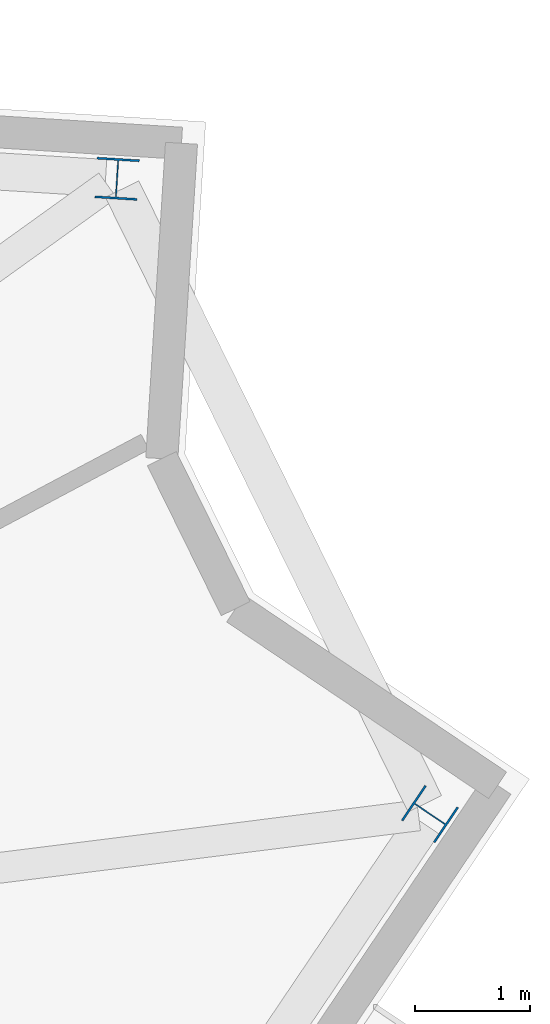
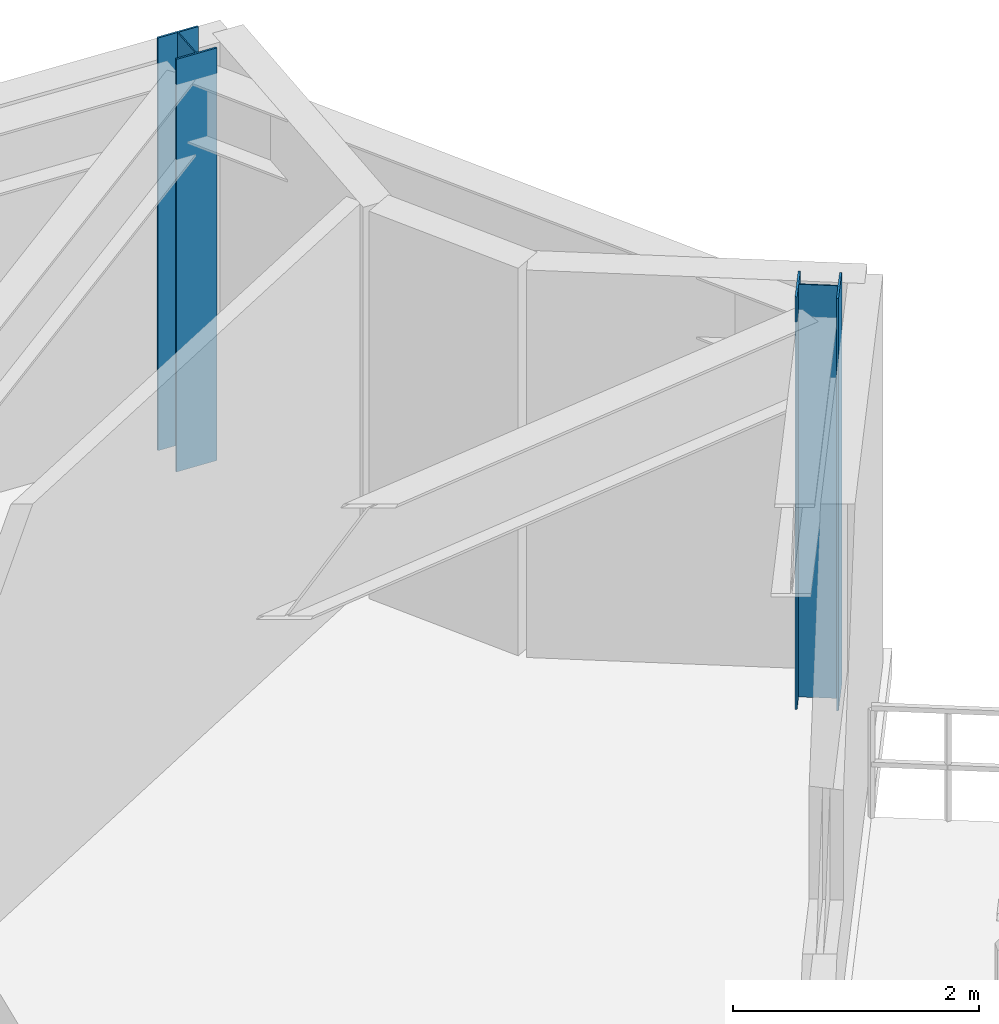
# One storey, part 3 of 11: 2 columns.
"""IFC4 building model written with IfcOpenShell, lengths in metres."""

from ifc_helpers import new_model, si_unit, direction, frame, origin, origin_2d, place, context, subcontext, project, spatial, i_section, extrude, material, material_profile, profile_set, type_object, element, save


model = new_model("IFC4")

# Units and contexts
model_context = context("Model", 3, precision=1e-05, world=origin(), true_north=direction((0.0, 1.0)))
body_context = subcontext(model_context, "Body", "Model", "MODEL_VIEW")
ifc_project = project(units=[si_unit("LENGTHUNIT", "METRE"), si_unit("AREAUNIT", "SQUARE_METRE"), si_unit("VOLUMEUNIT", "CUBIC_METRE"), si_unit("PLANEANGLEUNIT", "RADIAN"), si_unit("MASSUNIT", "GRAM", prefix="KILO")], contexts=[model_context])

# Site, building, storey
site_placement = place(None, origin())
site = spatial("IfcSite", under=ifc_project, at=site_placement, CompositionType="ELEMENT")
building_placement = place(site_placement, origin())
building = spatial("IfcBuilding", under=site, at=building_placement, Name="Apsidion Concourse Tower", CompositionType="ELEMENT")
storey_placement = place(building_placement, frame((0.0, 0.0, 306.5)))
storey = spatial("IfcBuildingStorey", under=building, at=storey_placement, Name="L72", CompositionType="ELEMENT", Elevation=306.5)

# Columns
ifc_material = material(Name="Structural steel ASTM A992 Grade 50", Category="steel")
ifc_material_profile = material_profile(ifc_material, i_section(OverallWidth=0.367919921875, OverallDepth=0.35595703125, WebThickness=0.01123046875, FlangeThickness=0.01806640625, at=origin_2d()), Name="W14X90")
ifc_profile_set = profile_set([ifc_material_profile], Name="Structural steel ASTM A992 Grade 50")
column_type = type_object("IfcColumnType", Name="COL-W14-90", PredefinedType="COLUMN", material=ifc_profile_set)
for number, where, z_axis, x_axis, name in (
    (1, (25.208984375, 8.83251953125, 0.0), (0.0, 0.0, 1.0), (0.559192903471, 0.829037572555, 0.0), "L72 Rotated Perimeter Column PC08"),
    (2, (22.47705078125, 14.378662109375, 0.0), (0.0, 0.0, 1.0), (-0.998081143466, 0.061919553109, 0.0), "L72 Rotated Perimeter Column PC09"),
):
    element("IfcColumn", number, at=place(storey_placement, frame(where, z_axis=z_axis, x_axis=x_axis)), inside=storey, type_object=column_type, Name=name, PredefinedType="COLUMN", context=body_context, shape_type="SweptSolid", body=[
        extrude(i_section(OverallWidth=0.367919921875, OverallDepth=0.35595703125, WebThickness=0.01123046875, FlangeThickness=0.01806640625, at=origin_2d()), origin(), (0.0, 0.0, 1.0), 4.10009765625),
    ])

save(model, "model.ifc")
